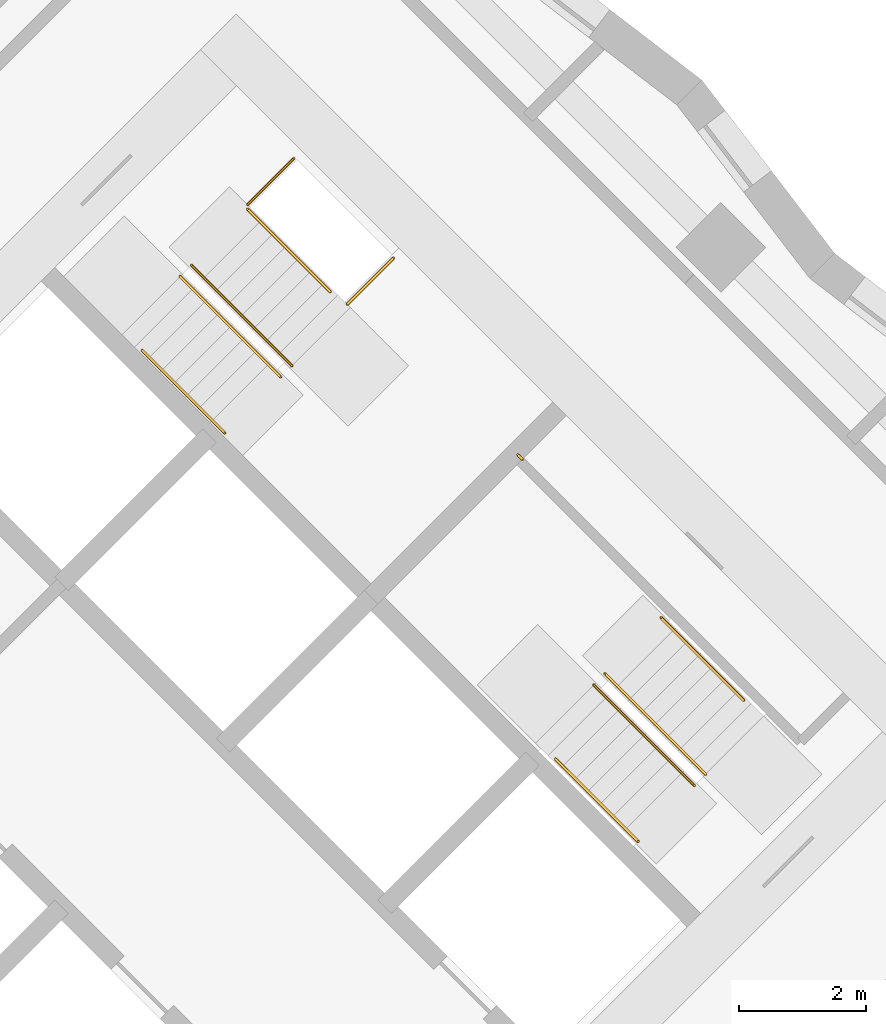
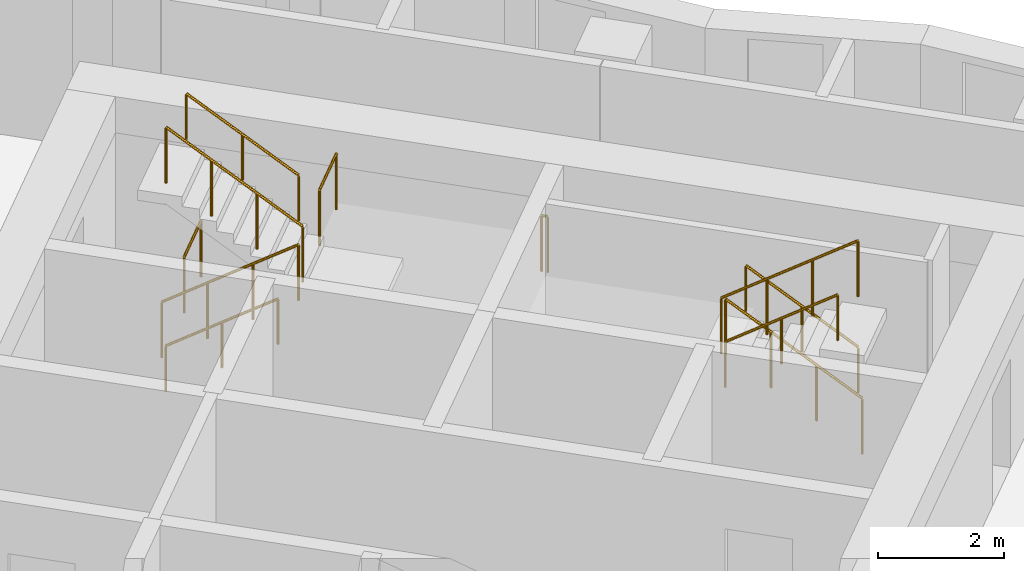
# One storey, part 13 of 13: 11 railings.
"""IFC4 building model written with IfcOpenShell, lengths in metres."""

from ifc_helpers import new_model, si_unit, direction, frame, origin, origin_2d, place, context, subcontext, project, spatial, circle, extrude, material, type_object, element, save


model = new_model("IFC4")

# Units and contexts
model_context = context("Model", 3, precision=1e-05, world=origin(), true_north=direction((0.0, 1.0)))
body_context = subcontext(model_context, "Body", "Model", "MODEL_VIEW")
ifc_project = project(units=[si_unit("LENGTHUNIT", "METRE"), si_unit("AREAUNIT", "SQUARE_METRE"), si_unit("VOLUMEUNIT", "CUBIC_METRE"), si_unit("PLANEANGLEUNIT", "RADIAN"), si_unit("MASSUNIT", "GRAM", prefix="KILO")], contexts=[model_context])

# Site, building, storey
site_placement = place(None, origin())
site = spatial("IfcSite", under=ifc_project, at=site_placement, CompositionType="ELEMENT")
building_placement = place(site_placement, origin())
building = spatial("IfcBuilding", under=site, at=building_placement, Name="Windrow Commons", CompositionType="ELEMENT")
storey_placement = place(building_placement, frame((0.0, 0.0, 98.2)))
storey = spatial("IfcBuildingStorey", under=building, at=storey_placement, Name="L26", CompositionType="ELEMENT", Elevation=98.2)

# Railings
ifc_material_1 = material(Name="Steel S355", Category="steel")
railing_type_1 = type_object("IfcRailingType", Name="Core stair guard 1100", PredefinedType="GUARDRAIL", material=ifc_material_1)
railing_1_placement = place(storey_placement, frame((85.9529, 56.2669, 0.1889)))
element("IfcRailing", 1, at=railing_1_placement, inside=storey, type_object=railing_type_1, Name="L26 ST-B1 stair guard 1", PredefinedType="GUARDRAIL", context=body_context, shape_type="SweptSolid", body=[
    extrude(circle(Radius=0.024, at=origin_2d()), frame((0.0, 0.0, 1.076), z_axis=(0.5861914914, -0.5861914914, 0.5592486664), x_axis=(0.7071067812, 0.7071067812, 0.0)), (0.0, 0.0, 1.0), 2.702),
    extrude(circle(Radius=0.021, at=origin_2d()), origin(), (0.0, 0.0, 1.0), 1.052),
    extrude(circle(Radius=0.021, at=origin_2d()), frame((0.528, -0.528, 0.5037)), (0.0, 0.0, 1.0), 1.052),
    extrude(circle(Radius=0.021, at=origin_2d()), frame((1.0559, -1.0559, 1.0074)), (0.0, 0.0, 1.0), 1.052),
    extrude(circle(Radius=0.021, at=origin_2d()), frame((1.5839, -1.5839, 1.5111)), (0.0, 0.0, 1.0), 1.052),
])
railing_2_placement = place(storey_placement, frame((87.7136, 54.8597, 1.8889)))
element("IfcRailing", 2, at=railing_2_placement, inside=storey, type_object=railing_type_1, Name="L26 ST-B1 stair guard 2", PredefinedType="GUARDRAIL", context=body_context, shape_type="SweptSolid", body=[
    extrude(circle(Radius=0.024, at=origin_2d()), frame((0.0, 0.0, 1.076), z_axis=(-0.5862030657, 0.5862030657, 0.5592244018), x_axis=(-0.7071067812, -0.7071067812, 0.0)), (0.0, 0.0, 1.0), 2.7021),
    extrude(circle(Radius=0.021, at=origin_2d()), origin(), (0.0, 0.0, 1.0), 1.052),
    extrude(circle(Radius=0.021, at=origin_2d()), frame((-0.528, 0.528, 0.5037)), (0.0, 0.0, 1.0), 1.052),
    extrude(circle(Radius=0.021, at=origin_2d()), frame((-1.056, 1.056, 1.0074)), (0.0, 0.0, 1.0), 1.052),
    extrude(circle(Radius=0.021, at=origin_2d()), frame((-1.584, 1.584, 1.5111)), (0.0, 0.0, 1.0), 1.052),
])
railing_3_placement = place(storey_placement, frame((87.0135, 57.3982, 0.0)))
element("IfcRailing", 3, at=railing_3_placement, inside=storey, type_object=railing_type_1, Name="L26 ST-B1 stair guard 3", PredefinedType="GUARDRAIL", context=body_context, shape_type="SweptSolid", body=[
    extrude(circle(Radius=0.024, at=origin_2d()), frame((0.0, 0.0, 1.076), z_axis=(0.7070582378, 0.7071553212, 0.0), x_axis=(-0.7071553212, 0.7070582378, 0.0)), (0.0, 0.0, 1.0), 1.03),
    extrude(circle(Radius=0.021, at=origin_2d()), origin(), (0.0, 0.0, 1.0), 1.052),
    extrude(circle(Radius=0.021, at=origin_2d()), frame((0.7283, 0.7284, 0.0)), (0.0, 0.0, 1.0), 1.052),
])
railing_4_placement = place(storey_placement, frame((88.5833, 55.8285, 1.7)))
element("IfcRailing", 4, at=railing_4_placement, inside=storey, type_object=railing_type_1, Name="L26 ST-B1 stair guard 4", PredefinedType="GUARDRAIL", context=body_context, shape_type="SweptSolid", body=[
    extrude(circle(Radius=0.024, at=origin_2d()), frame((0.0, 0.0, 1.076), z_axis=(0.7071067812, 0.7071067812, 0.0), x_axis=(-0.7071067812, 0.7071067812, 0.0)), (0.0, 0.0, 1.0), 1.03),
    extrude(circle(Radius=0.021, at=origin_2d()), origin(), (0.0, 0.0, 1.0), 1.052),
    extrude(circle(Radius=0.021, at=origin_2d()), frame((0.7283, 0.7283, 0.0)), (0.0, 0.0, 1.0), 1.052),
])
railing_5_placement = place(storey_placement, frame((94.2296, 48.4215, 0.1889)))
element("IfcRailing", 5, at=railing_5_placement, inside=storey, type_object=railing_type_1, Name="L26 ST-B2 stair guard 1", PredefinedType="GUARDRAIL", context=body_context, shape_type="SweptSolid", body=[
    extrude(circle(Radius=0.024, at=origin_2d()), frame((0.0, 0.0, 1.076), z_axis=(-0.5862157828, 0.5861787742, 0.5592365337), x_axis=(-0.7070844598, -0.7071291018, 0.0)), (0.0, 0.0, 1.0), 2.7021),
    extrude(circle(Radius=0.021, at=origin_2d()), origin(), (0.0, 0.0, 1.0), 1.052),
    extrude(circle(Radius=0.021, at=origin_2d()), frame((-0.528, 0.528, 0.5037)), (0.0, 0.0, 1.0), 1.052),
    extrude(circle(Radius=0.021, at=origin_2d()), frame((-1.056, 1.0559, 1.0074)), (0.0, 0.0, 1.0), 1.052),
    extrude(circle(Radius=0.021, at=origin_2d()), frame((-1.584, 1.5839, 1.5111)), (0.0, 0.0, 1.0), 1.052),
])
railing_6_placement = place(storey_placement, frame((92.4689, 49.8287, 1.8889)))
element("IfcRailing", 6, at=railing_6_placement, inside=storey, type_object=railing_type_1, Name="L26 ST-B2 stair guard 2", PredefinedType="GUARDRAIL", context=body_context, shape_type="SweptSolid", body=[
    extrude(circle(Radius=0.024, at=origin_2d()), frame((0.0, 0.0, 1.076), z_axis=(0.5861787742, -0.5862157828, 0.5592365337), x_axis=(0.7071291018, 0.7070844598, 0.0)), (0.0, 0.0, 1.0), 2.7021),
    extrude(circle(Radius=0.021, at=origin_2d()), origin(), (0.0, 0.0, 1.0), 1.052),
    extrude(circle(Radius=0.021, at=origin_2d()), frame((0.528, -0.528, 0.5037)), (0.0, 0.0, 1.0), 1.052),
    extrude(circle(Radius=0.021, at=origin_2d()), frame((1.0559, -1.056, 1.0074)), (0.0, 0.0, 1.0), 1.052),
    extrude(circle(Radius=0.021, at=origin_2d()), frame((1.5839, -1.584, 1.5111)), (0.0, 0.0, 1.0), 1.052),
])
railing_7_placement = place(storey_placement, frame((91.3446, 53.3854, 1.7)))
element("IfcRailing", 7, at=railing_7_placement, inside=storey, type_object=railing_type_1, Name="L26 ST-B2 stair guard 3", PredefinedType="GUARDRAIL", context=body_context, shape_type="SweptSolid", body=[
    extrude(circle(Radius=0.024, at=origin_2d()), frame((0.0, 0.0, 1.076), z_axis=(-0.7076063266, 0.7066068826, 0.0), x_axis=(-0.7066068826, -0.7076063266, 0.0)), (0.0, 0.0, 1.0), 0.1001),
    extrude(circle(Radius=0.021, at=origin_2d()), origin(), (0.0, 0.0, 1.0), 1.052),
    extrude(circle(Radius=0.021, at=origin_2d()), frame((-0.0708, 0.0707, 0.0)), (0.0, 0.0, 1.0), 1.052),
])
ifc_material_2 = material(Name="Steel S355", Category="steel")
railing_type_2 = type_object("IfcRailingType", Name="Core stair handrail 900", PredefinedType="HANDRAIL", material=ifc_material_2)
railing_8_placement = place(storey_placement, frame((85.3518, 55.1001, 0.4587)))
element("IfcRailing", 8, at=railing_8_placement, inside=storey, type_object=railing_type_2, Name="L26 ST-B1 stair handrail 1", PredefinedType="HANDRAIL", context=body_context, shape_type="SweptSolid", body=[
    extrude(circle(Radius=0.024, at=origin_2d()), frame((0.0, 0.0, 0.876), z_axis=(0.586206706, -0.5861616513, 0.5592639952), x_axis=(0.7070796062, 0.7071339551, 0.0)), (0.0, 0.0, 1.0), 2.2195),
    extrude(circle(Radius=0.021, at=origin_2d()), origin(), (0.0, 0.0, 1.0), 0.852),
    extrude(circle(Radius=0.021, at=origin_2d()), frame((0.6506, -0.6505, 0.6207)), (0.0, 0.0, 1.0), 0.852),
    extrude(circle(Radius=0.021, at=origin_2d()), frame((1.3011, -1.301, 1.2413)), (0.0, 0.0, 1.0), 0.852),
])
railing_9_placement = place(storey_placement, frame((88.3146, 56.0265, 2.1587)))
element("IfcRailing", 9, at=railing_9_placement, inside=storey, type_object=railing_type_2, Name="L26 ST-B1 stair handrail 2", PredefinedType="HANDRAIL", context=body_context, shape_type="SweptSolid", body=[
    extrude(circle(Radius=0.024, at=origin_2d()), frame((0.0, 0.0, 0.876), z_axis=(-0.586206706, 0.5861616513, 0.5592639952), x_axis=(-0.7070796062, -0.7071339551, 0.0)), (0.0, 0.0, 1.0), 2.2195),
    extrude(circle(Radius=0.021, at=origin_2d()), origin(), (0.0, 0.0, 1.0), 0.852),
    extrude(circle(Radius=0.021, at=origin_2d()), frame((-0.6506, 0.6505, 0.6206)), (0.0, 0.0, 1.0), 0.852),
    extrude(circle(Radius=0.021, at=origin_2d()), frame((-1.3011, 1.301, 1.2413)), (0.0, 0.0, 1.0), 0.852),
])
railing_10_placement = place(storey_placement, frame((94.8306, 49.5883, 0.4587)))
element("IfcRailing", 10, at=railing_10_placement, inside=storey, type_object=railing_type_2, Name="L26 ST-B2 stair handrail 1", PredefinedType="HANDRAIL", context=body_context, shape_type="SweptSolid", body=[
    extrude(circle(Radius=0.024, at=origin_2d()), frame((0.0, 0.0, 0.876), z_axis=(-0.586206706, 0.5861616513, 0.5592639952), x_axis=(-0.7070796062, -0.7071339551, 0.0)), (0.0, 0.0, 1.0), 2.2195),
    extrude(circle(Radius=0.021, at=origin_2d()), origin(), (0.0, 0.0, 1.0), 0.852),
    extrude(circle(Radius=0.021, at=origin_2d()), frame((-0.6506, 0.6505, 0.6207)), (0.0, 0.0, 1.0), 0.852),
    extrude(circle(Radius=0.021, at=origin_2d()), frame((-1.3011, 1.301, 1.2413)), (0.0, 0.0, 1.0), 0.852),
])
railing_11_placement = place(storey_placement, frame((91.8678, 48.6619, 2.1587)))
element("IfcRailing", 11, at=railing_11_placement, inside=storey, type_object=railing_type_2, Name="L26 ST-B2 stair handrail 2", PredefinedType="HANDRAIL", context=body_context, shape_type="SweptSolid", body=[
    extrude(circle(Radius=0.024, at=origin_2d()), frame((0.0, 0.0, 0.876), z_axis=(0.586206706, -0.5861616513, 0.5592639952), x_axis=(0.7070796062, 0.7071339551, 0.0)), (0.0, 0.0, 1.0), 2.2195),
    extrude(circle(Radius=0.021, at=origin_2d()), origin(), (0.0, 0.0, 1.0), 0.852),
    extrude(circle(Radius=0.021, at=origin_2d()), frame((0.6505, -0.6505, 0.6206)), (0.0, 0.0, 1.0), 0.852),
    extrude(circle(Radius=0.021, at=origin_2d()), frame((1.3011, -1.301, 1.2413)), (0.0, 0.0, 1.0), 0.852),
])

save(model, "model.ifc")
